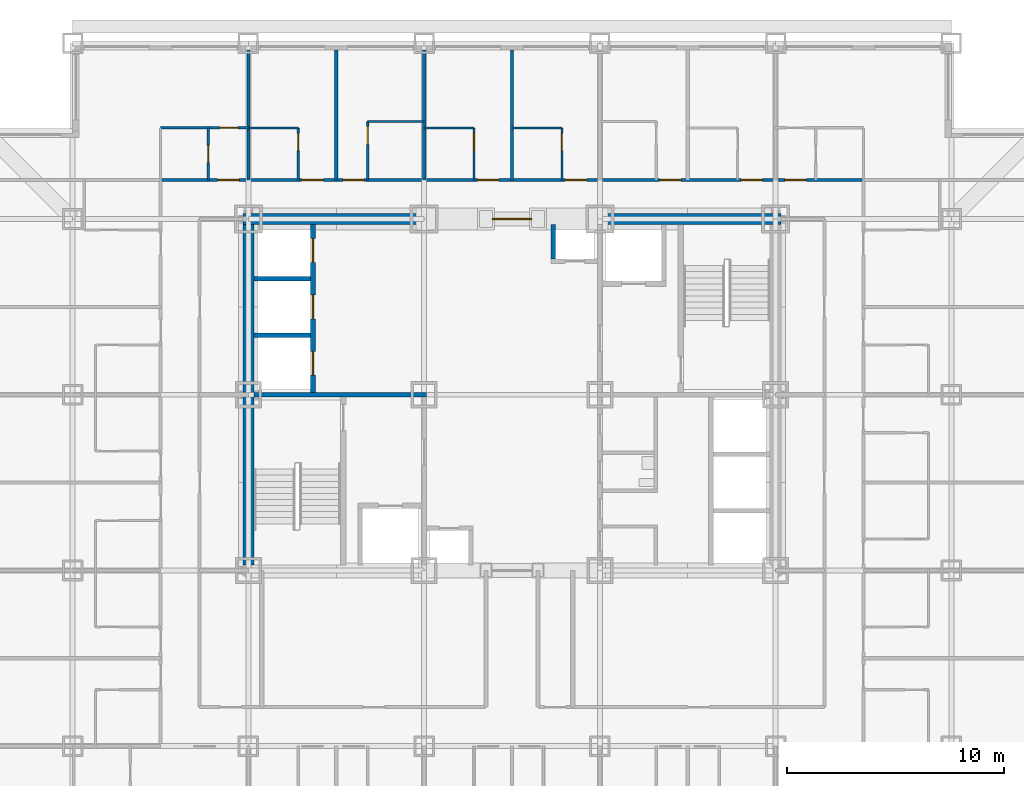
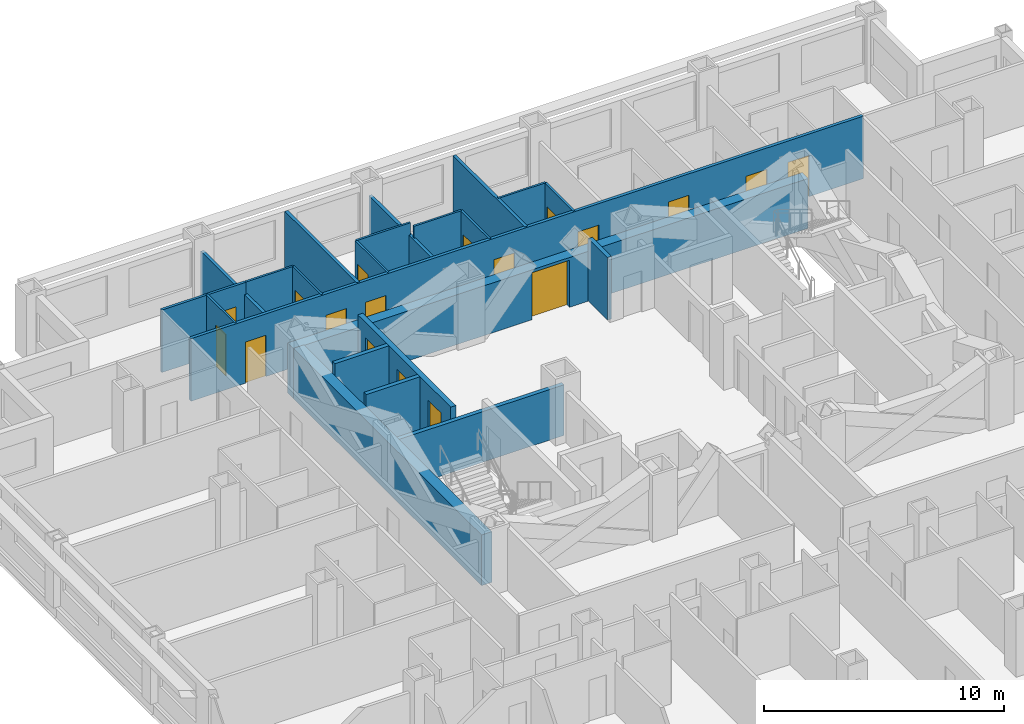
# One storey, part 8 of 12: 22 walls, 18 doors, 18 openings.
"""IFC4 building model written with IfcOpenShell, lengths in metres."""

from ifc_helpers import new_model, si_unit, direction, frame, frame_2d, origin, place, context, subcontext, project, spatial, rectangle, extrude, material, layer, layer_set, type_object, element, fill, save


model = new_model("IFC4")

# Units and contexts
model_context = context("Model", 3, precision=1e-05, world=origin(), true_north=direction((0.0, 1.0)))
body_context = subcontext(model_context, "Body", "Model", "MODEL_VIEW")
ifc_project = project(units=[si_unit("LENGTHUNIT", "METRE"), si_unit("AREAUNIT", "SQUARE_METRE"), si_unit("VOLUMEUNIT", "CUBIC_METRE"), si_unit("PLANEANGLEUNIT", "RADIAN"), si_unit("MASSUNIT", "GRAM", prefix="KILO")], contexts=[model_context])

# Site, building, storey
site_placement = place(None, origin())
site = spatial("IfcSite", under=ifc_project, at=site_placement, CompositionType="ELEMENT")
building_placement = place(site_placement, origin())
building = spatial("IfcBuilding", under=site, at=building_placement, Name="Kopane Lantern Tower", CompositionType="ELEMENT")
storey_placement = place(building_placement, frame((0.0, 0.0, 39.800048828125)))
storey = spatial("IfcBuildingStorey", under=building, at=storey_placement, Name="L08", CompositionType="ELEMENT", Elevation=39.800048828125)

# Wall, opening, door
ifc_material_1 = material(Name="Gypsum board on steel studs", Category="steel")
ifc_layer_1 = layer(ifc_material_1, 0.1201171875)
ifc_layer_set_1 = layer_set([ifc_layer_1], Name="APARTMENT INTERNAL WALL 120")
wall_type_1 = type_object("IfcWallType", Name="APARTMENT INTERNAL WALL 120", PredefinedType="PARTITIONING", material=ifc_layer_set_1)
wall_1_placement = place(storey_placement, frame((12.14990234375, 44.699951171875, 0.0), z_axis=(0.0, 0.0, 1.0), x_axis=(1.0, 0.0, 0.0)))
wall_1 = element("IfcWall", 1, at=wall_1_placement, inside=storey, type_object=wall_type_1, Name="Apartment Internal Wall 120 L08", PredefinedType="PARTITIONING", context=body_context, shape_type="SweptSolid", body=[
    extrude(rectangle(XDim=4.050048828125, YDim=0.1201171875, at=frame_2d((2.02490234375, 0.0))), origin(), (0.0, 0.0, 1.0), 3.18994140625),
])
opening_1_placement = place(wall_1_placement, frame((2.72509765625, 0.0, 0.0)))
opening_1 = element("IfcOpeningElement", 2, at=opening_1_placement, cuts=wall_1, Name="Opening L08-074", PredefinedType="OPENING", context=body_context, shape_type="SweptSolid", body=[
    extrude(rectangle(XDim=0.85009765625, YDim=2.10009765625, at=frame_2d((0.425048828125, 1.050048828125))), frame((0.0, 0.070068359375, 0.0), z_axis=(0.0, -1.0, 0.0), x_axis=(1.0, 0.0, 0.0)), (0.0, 0.0, 1.0), 0.14013671875),
])
ifc_material_2 = material(Name="Timber door set", Category="wood")
door_type_1 = type_object("IfcDoorType", Name="DOOR D4 850x2100", OperationType="SINGLE_SWING_LEFT", PredefinedType="DOOR", material=ifc_material_2)
door_1_placement = place(opening_1_placement, origin())
door_1 = element("IfcDoor", 3, at=door_1_placement, inside=storey, type_object=door_type_1, Name="Door L08-074", OperationType="SINGLE_SWING_LEFT", OverallHeight=2.10009765625, OverallWidth=0.85009765625, PredefinedType="DOOR", context=body_context, shape_type="SweptSolid", body=[
    extrude(rectangle(XDim=0.85009765625, YDim=2.10009765625, at=frame_2d((0.425048828125, 1.050048828125))), frame((0.0, 0.02490234375, 0.0), z_axis=(0.0, -1.0, 0.0), x_axis=(1.0, 0.0, 0.0)), (0.0, 0.0, 1.0), 0.050048828125),
])
fill(opening_1, door_1)

# Wall
ifc_material_3 = material(Name="Moisture-resistant board on steel studs", Category="steel")
ifc_layer_2 = layer(ifc_material_3, 0.10009765625)
ifc_layer_set_2 = layer_set([ifc_layer_2], Name="BATHROOM WALL 100")
wall_type_2 = type_object("IfcWallType", Name="BATHROOM WALL 100", PredefinedType="PARTITIONING", material=ifc_layer_set_2)
wall_2_placement = place(storey_placement, frame((16.199951171875, 44.699951171875, 0.0), z_axis=(0.0, 0.0, 1.0), x_axis=(1.0, 0.0, 0.0)))
element("IfcWall", 4, at=wall_2_placement, inside=storey, type_object=wall_type_2, Name="Bathroom Wall 100 L08", PredefinedType="PARTITIONING", context=body_context, shape_type="SweptSolid", body=[
    extrude(rectangle(XDim=2.300048828125, YDim=0.10009765625, at=frame_2d((1.14990234375, 0.0))), origin(), (0.0, 0.0, 1.0), 3.18994140625),
])

# Wall, opening, door
wall_3_placement = place(storey_placement, frame((18.5, 42.300048828125, 0.0), z_axis=(0.0, 0.0, 1.0), x_axis=(0.0, 1.0, 0.0)))
wall_3 = element("IfcWall", 5, at=wall_3_placement, inside=storey, type_object=wall_type_2, Name="Bathroom Wall 100 L08", PredefinedType="PARTITIONING", context=body_context, shape_type="SweptSolid", body=[
    extrude(rectangle(XDim=2.39990234375, YDim=0.10009765625, at=frame_2d((1.199951171875, 0.0))), origin(), (0.0, 0.0, 1.0), 3.18994140625),
])
opening_2_placement = place(wall_3_placement, frame((1.35009765625, 0.0, 0.0)))
opening_2 = element("IfcOpeningElement", 6, at=opening_2_placement, cuts=wall_3, Name="Opening L08-023", PredefinedType="OPENING", context=body_context, shape_type="SweptSolid", body=[
    extrude(rectangle(XDim=0.800048828125, YDim=2.10009765625, at=frame_2d((0.39990234375, 1.050048828125))), frame((0.0, 0.06005859375, 0.0), z_axis=(0.0, -1.0, 0.0), x_axis=(1.0, 0.0, 0.0)), (0.0, 0.0, 1.0), 0.1201171875),
])
ifc_material_4 = material(Name="Timber door set", Category="wood")
door_type_2 = type_object("IfcDoorType", Name="DOOR D2 800x2100", OperationType="SINGLE_SWING_LEFT", PredefinedType="DOOR", material=ifc_material_4)
door_2_placement = place(opening_2_placement, origin())
door_2 = element("IfcDoor", 7, at=door_2_placement, inside=storey, type_object=door_type_2, Name="Door L08-023", OperationType="SINGLE_SWING_RIGHT", OverallHeight=2.10009765625, OverallWidth=0.800048828125, PredefinedType="DOOR", context=body_context, shape_type="SweptSolid", body=[
    extrude(rectangle(XDim=0.800048828125, YDim=2.10009765625, at=frame_2d((0.39990234375, 1.050048828125))), frame((0.0, 0.02490234375, 0.0), z_axis=(0.0, -1.0, 0.0), x_axis=(1.0, 0.0, 0.0)), (0.0, 0.0, 1.0), 0.050048828125),
])
fill(opening_2, door_2)

# Wall
wall_4_placement = place(storey_placement, frame((21.699951171875, 45.0, 0.0), z_axis=(0.0, 0.0, 1.0), x_axis=(1.0, 0.0, 0.0)))
element("IfcWall", 8, at=wall_4_placement, inside=storey, type_object=wall_type_2, Name="Bathroom Wall 100 L08", PredefinedType="PARTITIONING", context=body_context, shape_type="SweptSolid", body=[
    extrude(rectangle(XDim=2.60009765625, YDim=0.10009765625, at=frame_2d((1.300048828125, 0.0))), origin(), (0.0, 0.0, 1.0), 3.18994140625),
])

# Wall, opening, door
wall_5_placement = place(storey_placement, frame((21.699951171875, 42.300048828125, 0.0), z_axis=(0.0, 0.0, 1.0), x_axis=(0.0, 1.0, 0.0)))
wall_5 = element("IfcWall", 9, at=wall_5_placement, inside=storey, type_object=wall_type_2, Name="Bathroom Wall 100 L08", PredefinedType="PARTITIONING", context=body_context, shape_type="SweptSolid", body=[
    extrude(rectangle(XDim=2.699951171875, YDim=0.10009765625, at=frame_2d((1.35009765625, 0.0))), origin(), (0.0, 0.0, 1.0), 3.18994140625),
])
opening_3_placement = place(wall_5_placement, frame((1.625, 0.0, 0.0)))
opening_3 = element("IfcOpeningElement", 10, at=opening_3_placement, cuts=wall_5, Name="Opening L08-025", PredefinedType="OPENING", context=body_context, shape_type="SweptSolid", body=[
    extrude(rectangle(XDim=0.85009765625, YDim=2.10009765625, at=frame_2d((0.425048828125, 1.050048828125))), frame((0.0, 0.06005859375, 0.0), z_axis=(0.0, -1.0, 0.0), x_axis=(1.0, 0.0, 0.0)), (0.0, 0.0, 1.0), 0.1201171875),
])
door_3_placement = place(opening_3_placement, origin())
door_3 = element("IfcDoor", 11, at=door_3_placement, inside=storey, type_object=door_type_1, Name="Door L08-025", OperationType="SINGLE_SWING_LEFT", OverallHeight=2.10009765625, OverallWidth=0.85009765625, PredefinedType="DOOR", context=body_context, shape_type="SweptSolid", body=[
    extrude(rectangle(XDim=0.85009765625, YDim=2.10009765625, at=frame_2d((0.425048828125, 1.050048828125))), frame((0.0, 0.02490234375, 0.0), z_axis=(0.0, -1.0, 0.0), x_axis=(1.0, 0.0, 0.0)), (0.0, 0.0, 1.0), 0.050048828125),
])
fill(opening_3, door_3)

# Wall
wall_6_placement = place(storey_placement, frame((24.300048828125, 44.699951171875, 0.0), z_axis=(0.0, 0.0, 1.0), x_axis=(1.0, 0.0, 0.0)))
element("IfcWall", 12, at=wall_6_placement, inside=storey, type_object=wall_type_2, Name="Bathroom Wall 100 L08", PredefinedType="PARTITIONING", context=body_context, shape_type="SweptSolid", body=[
    extrude(rectangle(XDim=2.300048828125, YDim=0.10009765625, at=frame_2d((1.14990234375, 0.0))), origin(), (0.0, 0.0, 1.0), 3.18994140625),
])

# Wall, opening, door
wall_7_placement = place(storey_placement, frame((26.60009765625, 42.300048828125, 0.0), z_axis=(0.0, 0.0, 1.0), x_axis=(0.0, 1.0, 0.0)))
wall_7 = element("IfcWall", 13, at=wall_7_placement, inside=storey, type_object=wall_type_2, Name="Bathroom Wall 100 L08", PredefinedType="PARTITIONING", context=body_context, shape_type="SweptSolid", body=[
    extrude(rectangle(XDim=2.39990234375, YDim=0.10009765625, at=frame_2d((1.199951171875, 0.0))), origin(), (0.0, 0.0, 1.0), 3.18994140625),
])
opening_4_placement = place(wall_7_placement, frame((1.35009765625, 0.0, 0.0)))
opening_4 = element("IfcOpeningElement", 14, at=opening_4_placement, cuts=wall_7, Name="Opening L08-027", PredefinedType="OPENING", context=body_context, shape_type="SweptSolid", body=[
    extrude(rectangle(XDim=0.800048828125, YDim=2.10009765625, at=frame_2d((0.39990234375, 1.050048828125))), frame((0.0, 0.06005859375, 0.0), z_axis=(0.0, -1.0, 0.0), x_axis=(1.0, 0.0, 0.0)), (0.0, 0.0, 1.0), 0.1201171875),
])
door_4_placement = place(opening_4_placement, origin())
door_4 = element("IfcDoor", 15, at=door_4_placement, inside=storey, type_object=door_type_2, Name="Door L08-027", OperationType="SINGLE_SWING_RIGHT", OverallHeight=2.10009765625, OverallWidth=0.800048828125, PredefinedType="DOOR", context=body_context, shape_type="SweptSolid", body=[
    extrude(rectangle(XDim=0.800048828125, YDim=2.10009765625, at=frame_2d((0.39990234375, 1.050048828125))), frame((0.0, 0.02490234375, 0.0), z_axis=(0.0, -1.0, 0.0), x_axis=(1.0, 0.0, 0.0)), (0.0, 0.0, 1.0), 0.050048828125),
])
fill(opening_4, door_4)

# Wall
wall_8_placement = place(storey_placement, frame((28.35009765625, 44.699951171875, 0.0), z_axis=(0.0, 0.0, 1.0), x_axis=(1.0, 0.0, 0.0)))
element("IfcWall", 16, at=wall_8_placement, inside=storey, type_object=wall_type_2, Name="Bathroom Wall 100 L08", PredefinedType="PARTITIONING", context=body_context, shape_type="SweptSolid", body=[
    extrude(rectangle(XDim=2.2998046875, YDim=0.10009765625, at=frame_2d((1.14990234375, 0.0))), origin(), (0.0, 0.0, 1.0), 3.18994140625),
])

# Wall, opening, door
wall_9_placement = place(storey_placement, frame((30.64990234375, 42.300048828125, 0.0), z_axis=(0.0, 0.0, 1.0), x_axis=(0.0, 1.0, 0.0)))
wall_9 = element("IfcWall", 17, at=wall_9_placement, inside=storey, type_object=wall_type_2, Name="Bathroom Wall 100 L08", PredefinedType="PARTITIONING", context=body_context, shape_type="SweptSolid", body=[
    extrude(rectangle(XDim=2.39990234375, YDim=0.10009765625, at=frame_2d((1.199951171875, 0.0))), origin(), (0.0, 0.0, 1.0), 3.18994140625),
])
opening_5_placement = place(wall_9_placement, frame((1.35009765625, 0.0, 0.0)))
opening_5 = element("IfcOpeningElement", 18, at=opening_5_placement, cuts=wall_9, Name="Opening L08-029", PredefinedType="OPENING", context=body_context, shape_type="SweptSolid", body=[
    extrude(rectangle(XDim=0.800048828125, YDim=2.10009765625, at=frame_2d((0.39990234375, 1.050048828125))), frame((0.0, 0.06005859375, 0.0), z_axis=(0.0, -1.0, 0.0), x_axis=(1.0, 0.0, 0.0)), (0.0, 0.0, 1.0), 0.1201171875),
])
door_5_placement = place(opening_5_placement, origin())
door_5 = element("IfcDoor", 19, at=door_5_placement, inside=storey, type_object=door_type_2, Name="Door L08-029", OperationType="SINGLE_SWING_RIGHT", OverallHeight=2.10009765625, OverallWidth=0.800048828125, PredefinedType="DOOR", context=body_context, shape_type="SweptSolid", body=[
    extrude(rectangle(XDim=0.800048828125, YDim=2.10009765625, at=frame_2d((0.39990234375, 1.050048828125))), frame((0.0, 0.02490234375, 0.0), z_axis=(0.0, -1.0, 0.0), x_axis=(1.0, 0.0, 0.0)), (0.0, 0.0, 1.0), 0.050048828125),
])
fill(opening_5, door_5)

wall_10_placement = place(storey_placement, frame((14.35009765625, 42.300048828125, 0.0), z_axis=(0.0, 0.0, 1.0), x_axis=(0.0, 1.0, 0.0)))
wall_10 = element("IfcWall", 20, at=wall_10_placement, inside=storey, type_object=wall_type_2, Name="Bathroom Wall 100 L08", PredefinedType="PARTITIONING", context=body_context, shape_type="SweptSolid", body=[
    extrude(rectangle(XDim=2.39990234375, YDim=0.10009765625, at=frame_2d((1.199951171875, 0.0))), origin(), (0.0, 0.0, 1.0), 3.18994140625),
])
opening_6_placement = place(wall_10_placement, frame((0.800048828125, 0.0, 0.0)))
opening_6 = element("IfcOpeningElement", 21, at=opening_6_placement, cuts=wall_10, Name="Opening L08-072", PredefinedType="OPENING", context=body_context, shape_type="SweptSolid", body=[
    extrude(rectangle(XDim=0.800048828125, YDim=2.10009765625, at=frame_2d((0.39990234375, 1.050048828125))), frame((0.0, 0.06005859375, 0.0), z_axis=(0.0, -1.0, 0.0), x_axis=(1.0, 0.0, 0.0)), (0.0, 0.0, 1.0), 0.1201171875),
])
door_6_placement = place(opening_6_placement, origin())
door_6 = element("IfcDoor", 22, at=door_6_placement, inside=storey, type_object=door_type_2, Name="Door L08-072", OperationType="SINGLE_SWING_LEFT", OverallHeight=2.10009765625, OverallWidth=0.800048828125, PredefinedType="DOOR", context=body_context, shape_type="SweptSolid", body=[
    extrude(rectangle(XDim=0.800048828125, YDim=2.10009765625, at=frame_2d((0.39990234375, 1.050048828125))), frame((0.0, 0.02490234375, 0.0), z_axis=(0.0, -1.0, 0.0), x_axis=(1.0, 0.0, 0.0)), (0.0, 0.0, 1.0), 0.050048828125),
])
fill(opening_6, door_6)

ifc_material_5 = material(Name="Gypsum shaft wall EI 120", Category="gypsum")
ifc_layer_3 = layer(ifc_material_5, 0.5)
ifc_layer_set_3 = layer_set([ifc_layer_3], Name="CORE PERIMETER WALL 500 EI 120")
wall_type_3 = type_object("IfcWallType", Name="CORE PERIMETER WALL 500 EI 120", PredefinedType="SOLIDWALL", material=ifc_layer_set_3)
wall_11_placement = place(storey_placement, frame((15.949951171875, 40.5, 0.0), z_axis=(0.0, 0.0, 1.0), x_axis=(1.0, 0.0, 0.0)))
wall_11 = element("IfcWall", 23, at=wall_11_placement, inside=storey, type_object=wall_type_3, Name="Core shaft wall L08 PN", PredefinedType="SOLIDWALL", context=body_context, shape_type="SweptSolid", body=[
    extrude(rectangle(XDim=24.800048828125, YDim=0.5, at=frame_2d((12.39990234375, 0.0))), origin(), (0.0, 0.0, 1.0), 2.5400390625),
])
opening_7_placement = place(wall_11_placement, frame((11.5, 0.0, 0.0)))
opening_7 = element("IfcOpeningElement", 24, at=opening_7_placement, cuts=wall_11, Name="Opening 08.CE-N", PredefinedType="OPENING", context=body_context, shape_type="SweptSolid", body=[
    extrude(rectangle(XDim=1.800048828125, YDim=2.39990234375, at=frame_2d((0.89990234375, 1.199951171875))), frame((0.0, 0.260009765625, 0.0), z_axis=(0.0, -1.0, 0.0), x_axis=(1.0, 0.0, 0.0)), (0.0, 0.0, 1.0), 0.52001953125),
])
ifc_material_6 = material(Name="Steel door set", Category="steel")
door_type_3 = type_object("IfcDoorType", Name="CORE ENTRY DOOR 1800x2400 FD60S", OperationType="DOUBLE_DOOR_SINGLE_SWING", PredefinedType="DOOR", material=ifc_material_6)
door_7_placement = place(opening_7_placement, origin())
door_7 = element("IfcDoor", 25, at=door_7_placement, inside=storey, type_object=door_type_3, Name="Core entry door L08 north", OperationType="DOUBLE_DOOR_SINGLE_SWING", OverallHeight=2.39990234375, OverallWidth=1.800048828125, PredefinedType="DOOR", context=body_context, shape_type="SweptSolid", body=[
    extrude(rectangle(XDim=1.800048828125, YDim=2.39990234375, at=frame_2d((0.89990234375, 1.199951171875))), frame((0.0, 0.02490234375, 0.0), z_axis=(0.0, -1.0, 0.0), x_axis=(1.0, 0.0, 0.0)), (0.0, 0.0, 1.0), 0.050048828125),
])
fill(opening_7, door_7)

# Wall
wall_12_placement = place(storey_placement, frame((16.199951171875, 24.550048828125, 0.0), z_axis=(0.0, 0.0, 1.0), x_axis=(0.0, 1.0, 0.0)))
element("IfcWall", 26, at=wall_12_placement, inside=storey, type_object=wall_type_3, Name="Core shaft wall L08 PW", PredefinedType="SOLIDWALL", context=body_context, shape_type="SweptSolid", body=[
    extrude(rectangle(XDim=15.699951171875, YDim=0.5, at=frame_2d((7.85009765625, 0.0))), origin(), (0.0, 0.0, 1.0), 2.57763671875),
])

# Wall, openings, doors
ifc_material_7 = material(Name="Gypsum shaft wall EI 120", Category="gypsum")
ifc_layer_4 = layer(ifc_material_7, 0.25)
ifc_layer_set_4 = layer_set([ifc_layer_4], Name="CORE SHAFT WALL 250 EI 120")
wall_type_4 = type_object("IfcWallType", Name="CORE SHAFT WALL 250 EI 120", PredefinedType="SOLIDWALL", material=ifc_layer_set_4)
wall_13_placement = place(storey_placement, frame((19.175048828125, 32.5, 0.0), z_axis=(0.0, 0.0, 1.0), x_axis=(0.0, 1.0, 0.0)))
wall_13 = element("IfcWall", 27, at=wall_13_placement, inside=storey, type_object=wall_type_4, Name="Core shaft wall L08 XLH", PredefinedType="SOLIDWALL", context=body_context, shape_type="SweptSolid", body=[
    extrude(rectangle(XDim=7.75, YDim=0.25, at=frame_2d((3.875, 0.0))), origin(), (0.0, 0.0, 1.0), 3.18994140625),
])
opening_8_placement = place(wall_13_placement, frame((0.800048828125, 0.0, 0.0)))
opening_8 = element("IfcOpeningElement", 28, at=opening_8_placement, cuts=wall_13, Name="Opening 08.LD-LH1", PredefinedType="OPENING", context=body_context, shape_type="SweptSolid", body=[
    extrude(rectangle(XDim=1.10009765625, YDim=2.39990234375, at=frame_2d((0.550048828125, 1.199951171875))), frame((0.0, 0.135009765625, 0.0), z_axis=(0.0, -1.0, 0.0), x_axis=(1.0, 0.0, 0.0)), (0.0, 0.0, 1.0), 0.27001953125),
])
opening_9_placement = place(wall_13_placement, frame((3.39990234375, 0.0, 0.0)))
opening_9 = element("IfcOpeningElement", 29, at=opening_9_placement, cuts=wall_13, Name="Opening 08.LD-LH2", PredefinedType="OPENING", context=body_context, shape_type="SweptSolid", body=[
    extrude(rectangle(XDim=1.10009765625, YDim=2.39990234375, at=frame_2d((0.550048828125, 1.199951171875))), frame((0.0, 0.135009765625, 0.0), z_axis=(0.0, -1.0, 0.0), x_axis=(1.0, 0.0, 0.0)), (0.0, 0.0, 1.0), 0.27001953125),
])
opening_10_placement = place(wall_13_placement, frame((6.0, 0.0, 0.0)))
opening_10 = element("IfcOpeningElement", 30, at=opening_10_placement, cuts=wall_13, Name="Opening 08.LD-LH3", PredefinedType="OPENING", context=body_context, shape_type="SweptSolid", body=[
    extrude(rectangle(XDim=1.10009765625, YDim=2.39990234375, at=frame_2d((0.550048828125, 1.199951171875))), frame((0.0, 0.135009765625, 0.0), z_axis=(0.0, -1.0, 0.0), x_axis=(1.0, 0.0, 0.0)), (0.0, 0.0, 1.0), 0.27001953125),
])
ifc_material_8 = material(Name="Steel door set", Category="steel")
door_type_4 = type_object("IfcDoorType", Name="LIFT LANDING DOOR 1100x2400 FD60", OperationType="DOUBLE_DOOR_SLIDING", PredefinedType="DOOR", material=ifc_material_8)
door_8_placement = place(opening_8_placement, origin())
door_8 = element("IfcDoor", 31, at=door_8_placement, inside=storey, type_object=door_type_4, Name="Landing door LH1 L08", OperationType="DOUBLE_DOOR_SLIDING", OverallHeight=2.39990234375, OverallWidth=1.10009765625, PredefinedType="DOOR", context=body_context, shape_type="SweptSolid", body=[
    extrude(rectangle(XDim=1.10009765625, YDim=2.39990234375, at=frame_2d((0.550048828125, 1.199951171875))), frame((0.0, 0.02490234375, 0.0), z_axis=(0.0, -1.0, 0.0), x_axis=(1.0, 0.0, 0.0)), (0.0, 0.0, 1.0), 0.050048828125),
])
fill(opening_8, door_8)
door_9_placement = place(opening_9_placement, origin())
door_9 = element("IfcDoor", 32, at=door_9_placement, inside=storey, type_object=door_type_4, Name="Landing door LH2 L08", OperationType="DOUBLE_DOOR_SLIDING", OverallHeight=2.39990234375, OverallWidth=1.10009765625, PredefinedType="DOOR", context=body_context, shape_type="SweptSolid", body=[
    extrude(rectangle(XDim=1.10009765625, YDim=2.39990234375, at=frame_2d((0.550048828125, 1.199951171875))), frame((0.0, 0.02490234375, 0.0), z_axis=(0.0, -1.0, 0.0), x_axis=(1.0, 0.0, 0.0)), (0.0, 0.0, 1.0), 0.050048828125),
])
fill(opening_9, door_9)
door_10_placement = place(opening_10_placement, origin())
door_10 = element("IfcDoor", 33, at=door_10_placement, inside=storey, type_object=door_type_4, Name="Landing door LH3 L08", OperationType="DOUBLE_DOOR_SLIDING", OverallHeight=2.39990234375, OverallWidth=1.10009765625, PredefinedType="DOOR", context=body_context, shape_type="SweptSolid", body=[
    extrude(rectangle(XDim=1.10009765625, YDim=2.39990234375, at=frame_2d((0.550048828125, 1.199951171875))), frame((0.0, 0.02490234375, 0.0), z_axis=(0.0, -1.0, 0.0), x_axis=(1.0, 0.0, 0.0)), (0.0, 0.0, 1.0), 0.050048828125),
])
fill(opening_10, door_10)

ifc_material_9 = material(Name="Gypsum board on steel studs", Category="steel")
ifc_layer_5 = layer(ifc_material_9, 0.14990234375)
ifc_layer_set_5 = layer_set([ifc_layer_5], Name="CORRIDOR WALL 150 EI 60")
wall_type_5 = type_object("IfcWallType", Name="CORRIDOR WALL 150 EI 60", PredefinedType="PARTITIONING", material=ifc_layer_set_5)
wall_14_placement = place(storey_placement, frame((12.14990234375, 42.300048828125, 0.0), z_axis=(0.0, 0.0, 1.0), x_axis=(1.0, 0.0, 0.0)))
wall_14 = element("IfcWall", 34, at=wall_14_placement, inside=storey, type_object=wall_type_5, Name="Corridor Wall 150 Ei 60 L08", PredefinedType="PARTITIONING", context=body_context, shape_type="SweptSolid", body=[
    extrude(rectangle(XDim=32.400146484375, YDim=0.14990234375, at=frame_2d((16.2001953125, 0.0))), origin(), (0.0, 0.0, 1.0), 3.18994140625),
])
opening_11_placement = place(wall_14_placement, frame((6.5, 0.0, 0.0)))
opening_11 = element("IfcOpeningElement", 35, at=opening_11_placement, cuts=wall_14, Name="Opening L08-024", PredefinedType="OPENING", context=body_context, shape_type="SweptSolid", body=[
    extrude(rectangle(XDim=1.0, YDim=2.10009765625, at=frame_2d((0.5, 1.050048828125))), frame((0.0, 0.0849609375, 0.0), z_axis=(0.0, -1.0, 0.0), x_axis=(1.0, 0.0, 0.0)), (0.0, 0.0, 1.0), 0.169921875),
])
opening_12_placement = place(wall_14_placement, frame((8.39990234375, 0.0, 0.0)))
opening_12 = element("IfcOpeningElement", 36, at=opening_12_placement, cuts=wall_14, Name="Opening L08-026", PredefinedType="OPENING", context=body_context, shape_type="SweptSolid", body=[
    extrude(rectangle(XDim=1.0, YDim=2.10009765625, at=frame_2d((0.5, 1.050048828125))), frame((0.0, 0.0849609375, 0.0), z_axis=(0.0, -1.0, 0.0), x_axis=(1.0, 0.0, 0.0)), (0.0, 0.0, 1.0), 0.169921875),
])
opening_13_placement = place(wall_14_placement, frame((14.60009765625, 0.0, 0.0)))
opening_13 = element("IfcOpeningElement", 37, at=opening_13_placement, cuts=wall_14, Name="Opening L08-028", PredefinedType="OPENING", context=body_context, shape_type="SweptSolid", body=[
    extrude(rectangle(XDim=1.0, YDim=2.10009765625, at=frame_2d((0.5, 1.050048828125))), frame((0.0, 0.0849609375, 0.0), z_axis=(0.0, -1.0, 0.0), x_axis=(1.0, 0.0, 0.0)), (0.0, 0.0, 1.0), 0.169921875),
])
opening_14_placement = place(wall_14_placement, frame((18.64990234375, 0.0, 0.0)))
opening_14 = element("IfcOpeningElement", 38, at=opening_14_placement, cuts=wall_14, Name="Opening L08-030", PredefinedType="OPENING", context=body_context, shape_type="SweptSolid", body=[
    extrude(rectangle(XDim=1.0, YDim=2.10009765625, at=frame_2d((0.5, 1.050048828125))), frame((0.0, 0.0849609375, 0.0), z_axis=(0.0, -1.0, 0.0), x_axis=(1.0, 0.0, 0.0)), (0.0, 0.0, 1.0), 0.169921875),
])
opening_15_placement = place(wall_14_placement, frame((23.0, 0.0, 0.0)))
opening_15 = element("IfcOpeningElement", 39, at=opening_15_placement, cuts=wall_14, Name="Opening L08-032", PredefinedType="OPENING", context=body_context, shape_type="SweptSolid", body=[
    extrude(rectangle(XDim=1.0, YDim=2.10009765625, at=frame_2d((0.5, 1.050048828125))), frame((0.0, 0.0849609375, 0.0), z_axis=(0.0, -1.0, 0.0), x_axis=(1.0, 0.0, 0.0)), (0.0, 0.0, 1.0), 0.169921875),
])
opening_16_placement = place(wall_14_placement, frame((26.75, 0.0, 0.0)))
opening_16 = element("IfcOpeningElement", 40, at=opening_16_placement, cuts=wall_14, Name="Opening L08-034", PredefinedType="OPENING", context=body_context, shape_type="SweptSolid", body=[
    extrude(rectangle(XDim=1.0, YDim=2.10009765625, at=frame_2d((0.5, 1.050048828125))), frame((0.0, 0.0849609375, 0.0), z_axis=(0.0, -1.0, 0.0), x_axis=(1.0, 0.0, 0.0)), (0.0, 0.0, 1.0), 0.169921875),
])
opening_17_placement = place(wall_14_placement, frame((28.77490234375, 0.0, 0.0)))
opening_17 = element("IfcOpeningElement", 41, at=opening_17_placement, cuts=wall_14, Name="Opening L08-070", PredefinedType="OPENING", context=body_context, shape_type="SweptSolid", body=[
    extrude(rectangle(XDim=1.0, YDim=2.10009765625, at=frame_2d((0.5, 1.050048828125))), frame((0.0, 0.0849609375, 0.0), z_axis=(0.0, -1.0, 0.0), x_axis=(1.0, 0.0, 0.0)), (0.0, 0.0, 1.0), 0.169921875),
])
opening_18_placement = place(wall_14_placement, frame((2.625, 0.0, 0.0)))
opening_18 = element("IfcOpeningElement", 42, at=opening_18_placement, cuts=wall_14, Name="Opening L08-073", PredefinedType="OPENING", context=body_context, shape_type="SweptSolid", body=[
    extrude(rectangle(XDim=1.0, YDim=2.10009765625, at=frame_2d((0.5, 1.050048828125))), frame((0.0, 0.0849609375, 0.0), z_axis=(0.0, -1.0, 0.0), x_axis=(1.0, 0.0, 0.0)), (0.0, 0.0, 1.0), 0.169921875),
])
ifc_material_10 = material(Name="Steel door set", Category="steel")
door_type_5 = type_object("IfcDoorType", Name="DOOR D1 1000x2100 FD30S", OperationType="SINGLE_SWING_LEFT", PredefinedType="DOOR", material=ifc_material_10)
door_11_placement = place(opening_11_placement, origin())
door_11 = element("IfcDoor", 43, at=door_11_placement, inside=storey, type_object=door_type_5, Name="Door L08-024", OperationType="SINGLE_SWING_LEFT", OverallHeight=2.10009765625, OverallWidth=1.0, PredefinedType="DOOR", context=body_context, shape_type="SweptSolid", body=[
    extrude(rectangle(XDim=1.0, YDim=2.10009765625, at=frame_2d((0.5, 1.050048828125))), frame((0.0, 0.02490234375, 0.0), z_axis=(0.0, -1.0, 0.0), x_axis=(1.0, 0.0, 0.0)), (0.0, 0.0, 1.0), 0.050048828125),
])
fill(opening_11, door_11)
door_12_placement = place(opening_12_placement, origin())
door_12 = element("IfcDoor", 44, at=door_12_placement, inside=storey, type_object=door_type_5, Name="Door L08-026", OperationType="SINGLE_SWING_RIGHT", OverallHeight=2.10009765625, OverallWidth=1.0, PredefinedType="DOOR", context=body_context, shape_type="SweptSolid", body=[
    extrude(rectangle(XDim=1.0, YDim=2.10009765625, at=frame_2d((0.5, 1.050048828125))), frame((0.0, 0.02490234375, 0.0), z_axis=(0.0, -1.0, 0.0), x_axis=(1.0, 0.0, 0.0)), (0.0, 0.0, 1.0), 0.050048828125),
])
fill(opening_12, door_12)
door_13_placement = place(opening_13_placement, origin())
door_13 = element("IfcDoor", 45, at=door_13_placement, inside=storey, type_object=door_type_5, Name="Door L08-028", OperationType="SINGLE_SWING_LEFT", OverallHeight=2.10009765625, OverallWidth=1.0, PredefinedType="DOOR", context=body_context, shape_type="SweptSolid", body=[
    extrude(rectangle(XDim=1.0, YDim=2.10009765625, at=frame_2d((0.5, 1.050048828125))), frame((0.0, 0.02490234375, 0.0), z_axis=(0.0, -1.0, 0.0), x_axis=(1.0, 0.0, 0.0)), (0.0, 0.0, 1.0), 0.050048828125),
])
fill(opening_13, door_13)
door_14_placement = place(opening_14_placement, origin())
door_14 = element("IfcDoor", 46, at=door_14_placement, inside=storey, type_object=door_type_5, Name="Door L08-030", OperationType="SINGLE_SWING_LEFT", OverallHeight=2.10009765625, OverallWidth=1.0, PredefinedType="DOOR", context=body_context, shape_type="SweptSolid", body=[
    extrude(rectangle(XDim=1.0, YDim=2.10009765625, at=frame_2d((0.5, 1.050048828125))), frame((0.0, 0.02490234375, 0.0), z_axis=(0.0, -1.0, 0.0), x_axis=(1.0, 0.0, 0.0)), (0.0, 0.0, 1.0), 0.050048828125),
])
fill(opening_14, door_14)
door_15_placement = place(opening_15_placement, origin())
door_15 = element("IfcDoor", 47, at=door_15_placement, inside=storey, type_object=door_type_5, Name="Door L08-032", OperationType="SINGLE_SWING_LEFT", OverallHeight=2.10009765625, OverallWidth=1.0, PredefinedType="DOOR", context=body_context, shape_type="SweptSolid", body=[
    extrude(rectangle(XDim=1.0, YDim=2.10009765625, at=frame_2d((0.5, 1.050048828125))), frame((0.0, 0.02490234375, 0.0), z_axis=(0.0, -1.0, 0.0), x_axis=(1.0, 0.0, 0.0)), (0.0, 0.0, 1.0), 0.050048828125),
])
fill(opening_15, door_15)
door_16_placement = place(opening_16_placement, origin())
door_16 = element("IfcDoor", 48, at=door_16_placement, inside=storey, type_object=door_type_5, Name="Door L08-034", OperationType="SINGLE_SWING_LEFT", OverallHeight=2.10009765625, OverallWidth=1.0, PredefinedType="DOOR", context=body_context, shape_type="SweptSolid", body=[
    extrude(rectangle(XDim=1.0, YDim=2.10009765625, at=frame_2d((0.5, 1.050048828125))), frame((0.0, 0.02490234375, 0.0), z_axis=(0.0, -1.0, 0.0), x_axis=(1.0, 0.0, 0.0)), (0.0, 0.0, 1.0), 0.050048828125),
])
fill(opening_16, door_16)
door_17_placement = place(opening_17_placement, origin())
door_17 = element("IfcDoor", 49, at=door_17_placement, inside=storey, type_object=door_type_5, Name="Door L08-070", OperationType="SINGLE_SWING_RIGHT", OverallHeight=2.10009765625, OverallWidth=1.0, PredefinedType="DOOR", context=body_context, shape_type="SweptSolid", body=[
    extrude(rectangle(XDim=1.0, YDim=2.10009765625, at=frame_2d((0.5, 1.050048828125))), frame((0.0, 0.02490234375, 0.0), z_axis=(0.0, -1.0, 0.0), x_axis=(1.0, 0.0, 0.0)), (0.0, 0.0, 1.0), 0.050048828125),
])
fill(opening_17, door_17)
door_18_placement = place(opening_18_placement, origin())
door_18 = element("IfcDoor", 50, at=door_18_placement, inside=storey, type_object=door_type_5, Name="Door L08-073", OperationType="SINGLE_SWING_LEFT", OverallHeight=2.10009765625, OverallWidth=1.0, PredefinedType="DOOR", context=body_context, shape_type="SweptSolid", body=[
    extrude(rectangle(XDim=1.0, YDim=2.10009765625, at=frame_2d((0.5, 1.050048828125))), frame((0.0, 0.02490234375, 0.0), z_axis=(0.0, -1.0, 0.0), x_axis=(1.0, 0.0, 0.0)), (0.0, 0.0, 1.0), 0.050048828125),
])
fill(opening_18, door_18)

# Walls
ifc_material_11 = material(Name="Gypsum board on steel studs", Category="steel")
ifc_layer_6 = layer(ifc_material_11, 0.14990234375)
ifc_layer_set_6 = layer_set([ifc_layer_6], Name="DEMISING WALL 150 EI 60")
wall_type_6 = type_object("IfcWallType", Name="DEMISING WALL 150 EI 60", PredefinedType="PARTITIONING", material=ifc_layer_set_6)
wall_15_placement = place(storey_placement, frame((20.25, 42.300048828125, 0.0), z_axis=(0.0, 0.0, 1.0), x_axis=(0.0, 1.0, 0.0)))
element("IfcWall", 51, at=wall_15_placement, inside=storey, type_object=wall_type_6, Name="Demising Wall 150 Ei 60 L08", PredefinedType="PARTITIONING", context=body_context, shape_type="SweptSolid", body=[
    extrude(rectangle(XDim=6.0, YDim=0.14990234375, at=frame_2d((3.0, 0.0))), origin(), (0.0, 0.0, 1.0), 3.18994140625),
])
wall_16_placement = place(storey_placement, frame((24.300048828125, 42.300048828125, 0.0), z_axis=(0.0, 0.0, 1.0), x_axis=(0.0, 1.0, 0.0)))
element("IfcWall", 52, at=wall_16_placement, inside=storey, type_object=wall_type_6, Name="Demising Wall 150 Ei 60 L08", PredefinedType="PARTITIONING", context=body_context, shape_type="SweptSolid", body=[
    extrude(rectangle(XDim=6.0, YDim=0.14990234375, at=frame_2d((3.0, 0.0))), origin(), (0.0, 0.0, 1.0), 2.57763671875),
])
wall_17_placement = place(storey_placement, frame((28.35009765625, 42.300048828125, 0.0), z_axis=(0.0, 0.0, 1.0), x_axis=(0.0, 1.0, 0.0)))
element("IfcWall", 53, at=wall_17_placement, inside=storey, type_object=wall_type_6, Name="Demising Wall 150 Ei 60 L08", PredefinedType="PARTITIONING", context=body_context, shape_type="SweptSolid", body=[
    extrude(rectangle(XDim=6.0, YDim=0.14990234375, at=frame_2d((3.0, 0.0))), origin(), (0.0, 0.0, 1.0), 3.18994140625),
])
wall_18_placement = place(storey_placement, frame((16.199951171875, 42.300048828125, 0.0), z_axis=(0.0, 0.0, 1.0), x_axis=(0.0, 1.0, 0.0)))
element("IfcWall", 54, at=wall_18_placement, inside=storey, type_object=wall_type_6, Name="Demising Wall 150 Ei 60 L08", PredefinedType="PARTITIONING", context=body_context, shape_type="SweptSolid", body=[
    extrude(rectangle(XDim=6.0, YDim=0.14990234375, at=frame_2d((3.0, 0.0))), origin(), (0.0, 0.0, 1.0), 2.57763671875),
])
ifc_material_12 = material(Name="Gypsum shaft wall EI 120", Category="gypsum")
ifc_layer_7 = layer(ifc_material_12, 0.199951171875)
ifc_layer_set_7 = layer_set([ifc_layer_7], Name="SHAFT WALL 200 EI 120")
wall_type_7 = type_object("IfcWallType", Name="SHAFT WALL 200 EI 120", PredefinedType="SOLIDWALL", material=ifc_layer_set_7)
wall_19_placement = place(storey_placement, frame((16.449951171875, 32.39990234375, 0.0), z_axis=(0.0, 0.0, 1.0), x_axis=(1.0, 0.0, 0.0)))
element("IfcWall", 55, at=wall_19_placement, inside=storey, type_object=wall_type_7, Name="Core shaft wall L08 Y324W", PredefinedType="SOLIDWALL", context=body_context, shape_type="SweptSolid", body=[
    extrude(rectangle(XDim=7.949951171875, YDim=0.199951171875, at=frame_2d((3.97509765625, 0.0))), origin(), (0.0, 0.0, 1.0), 2.57763671875),
])
for number, where, z_axis, x_axis, name in (
    (56, (16.449951171875, 35.14990234375, 0.0), (0.0, 0.0, 1.0), (1.0, 0.0, 0.0), "Core shaft wall L08 YLH12"),
    (57, (16.449951171875, 37.75, 0.0), (0.0, 0.0, 1.0), (1.0, 0.0, 0.0), "Core shaft wall L08 YLH23"),
):
    element("IfcWall", number, at=place(storey_placement, frame(where, z_axis=z_axis, x_axis=x_axis)), inside=storey, type_object=wall_type_7, Name=name, PredefinedType="SOLIDWALL", context=body_context, shape_type="SweptSolid", body=[
        extrude(rectangle(XDim=2.60009765625, YDim=0.199951171875, at=frame_2d((1.300048828125, 0.0))), origin(), (0.0, 0.0, 1.0), 3.18994140625),
    ])
wall_20_placement = place(storey_placement, frame((30.25, 38.64990234375, 0.0), z_axis=(0.0, 0.0, 1.0), x_axis=(0.0, 1.0, 0.0)))
element("IfcWall", 58, at=wall_20_placement, inside=storey, type_object=wall_type_7, Name="Core shaft wall L08 XRS2", PredefinedType="SOLIDWALL", context=body_context, shape_type="SweptSolid", body=[
    extrude(rectangle(XDim=1.60009765625, YDim=0.199951171875, at=frame_2d((0.800048828125, 0.0))), origin(), (0.0, 0.0, 1.0), 3.18994140625),
])

save(model, "model.ifc")
